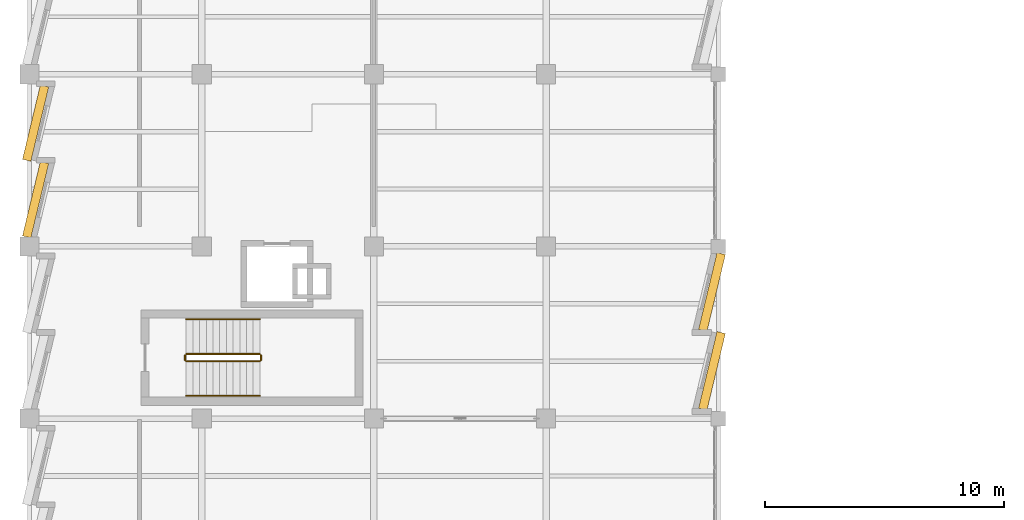
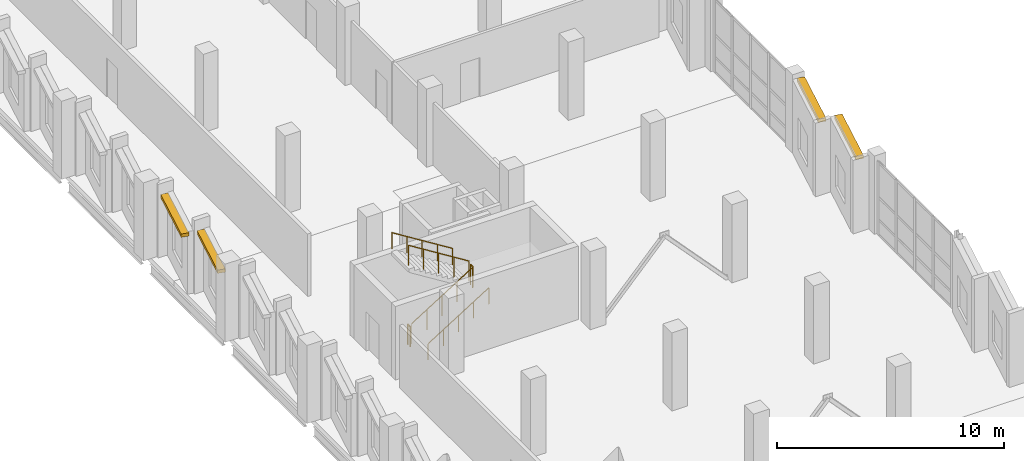
# One storey, part 84 of 94: 6 railings, 4 shading devices.
"""IFC4 building model written with IfcOpenShell, lengths in metres."""

from ifc_helpers import new_model, si_unit, direction, frame, origin, origin_2d, place, context, subcontext, project, spatial, rectangle, circle, extrude, material, layer, layer_set, type_object, element, save


model = new_model("IFC4")

# Units and contexts
model_context = context("Model", 3, precision=1e-05, world=origin(), true_north=direction((0.0, 1.0)))
body_context = subcontext(model_context, "Body", "Model", "MODEL_VIEW")
ifc_project = project(units=[si_unit("LENGTHUNIT", "METRE"), si_unit("AREAUNIT", "SQUARE_METRE"), si_unit("VOLUMEUNIT", "CUBIC_METRE"), si_unit("PLANEANGLEUNIT", "RADIAN"), si_unit("MASSUNIT", "GRAM", prefix="KILO")], contexts=[model_context])

# Site, building, storey
site_placement = place(None, origin())
site = spatial("IfcSite", under=ifc_project, at=site_placement, CompositionType="ELEMENT")
building_placement = place(site_placement, origin())
building = spatial("IfcBuilding", under=site, at=building_placement, Name="Kalmorath City Hall", CompositionType="ELEMENT")
storey_placement = place(building_placement, frame((0.0, 0.0, 14.699951171875)))
storey = spatial("IfcBuildingStorey", under=building, at=storey_placement, Name="L03", CompositionType="ELEMENT", Elevation=14.699951171875)

# Shading devices
ifc_material_1 = material(Name="Precast concrete C40/50", Category="concrete")
ifc_layer = layer(ifc_material_1, 0.179931640625)
ifc_layer_set = layer_set([ifc_layer], Name="Precast concrete C40/50")
shading_device_type = type_object("IfcShadingDeviceType", Name="Precast sawtooth brow sunshade 350", PredefinedType="USERDEFINED", material=ifc_layer_set)
for number, where, z_axis, x_axis, name in (
    (1, (0.2529296875, 59.55419921875, 3.15625), (0.0, 0.0, 1.0), (0.233445363856, 0.972369920398, 0.0), "L03 precast sawtooth hood #298"),
    (2, (0.2529296875, 62.75341796875, 3.15625), (0.0, 0.0, 1.0), (0.233445363856, 0.972369920398, 0.0), "L03 precast sawtooth hood #299"),
):
    element("IfcShadingDevice", number, at=place(storey_placement, frame(where, z_axis=z_axis, x_axis=x_axis)), inside=storey, type_object=shading_device_type, Name=name, ObjectType="SUNSHADE", PredefinedType="USERDEFINED", context=body_context, shape_type="SweptSolid", body=[
        extrude(rectangle(XDim=3.19482421875, YDim=0.360107421875, at=origin_2d()), origin(), (0.0, 0.0, 1.0), 0.179931640625),
    ])
for number, where, z_axis, x_axis, name in (
    (3, (28.53515625, 55.69580078125, 3.740234375), (0.0, 0.0, 1.0), (-0.233445363856, -0.972369920398, 0.0), "L03 precast sawtooth hood #344"),
    (4, (28.53515625, 52.396728515625, 3.740234375), (0.0, 0.0, 1.0), (-0.233445363856, -0.972369920398, 0.0), "L03 precast sawtooth hood #345"),
):
    element("IfcShadingDevice", number, at=place(storey_placement, frame(where, z_axis=z_axis, x_axis=x_axis)), inside=storey, type_object=shading_device_type, Name=name, ObjectType="SUNSHADE", PredefinedType="USERDEFINED", context=body_context, shape_type="SweptSolid", body=[
        extrude(rectangle(XDim=3.297607421875, YDim=0.360107421875, at=origin_2d()), origin(), (0.0, 0.0, 1.0), 0.179931640625),
    ])

# Railings
ifc_material_2 = material(Name="Painted steel guardrail", Category="steel")
railing_type_1 = type_object("IfcRailingType", Name="Protected stair guardrail 1100", PredefinedType="GUARDRAIL", material=ifc_material_2)
railing_1_placement = place(storey_placement, frame((6.550048828125, 52.800048828125, 0.175048828125)))
element("IfcRailing", 5, at=railing_1_placement, inside=storey, type_object=railing_type_1, Name="L03 ST-3 stair guard 1", PredefinedType="GUARDRAIL", context=body_context, shape_type="SweptSolid", body=[
    extrude(circle(Radius=0.02392578125, at=origin_2d()), frame((0.0, 0.0, 1.076171875), z_axis=(0.847979421464, 0.0, 0.530029150871), x_axis=(0.0, 1.0, 0.0)), (0.0, 0.0, 1.0), 3.632080078125),
    extrude(circle(Radius=0.02099609375, at=origin_2d()), origin(), (0.0, 0.0, 1.0), 1.052001953125),
    extrude(circle(Radius=0.02099609375, at=origin_2d()), frame((0.77001953125, 0.0, 0.481201171875)), (0.0, 0.0, 1.0), 1.052001953125),
    extrude(circle(Radius=0.02099609375, at=origin_2d()), frame((1.5400390625, 0.0, 0.96240234375)), (0.0, 0.0, 1.0), 1.052001953125),
    extrude(circle(Radius=0.02099609375, at=origin_2d()), frame((2.309814453125, 0.0, 1.44384765625)), (0.0, 0.0, 1.0), 1.052001953125),
    extrude(circle(Radius=0.02099609375, at=origin_2d()), frame((3.079833984375, 0.0, 1.925048828125)), (0.0, 0.0, 1.0), 1.052001953125),
])
railing_2_placement = place(storey_placement, frame((9.679931640625, 52.85009765625, 2.10009765625)))
element("IfcRailing", 6, at=railing_2_placement, inside=storey, type_object=railing_type_1, Name="L03 ST-3 stair guard 2", PredefinedType="GUARDRAIL", context=body_context, shape_type="SweptSolid", body=[
    extrude(circle(Radius=0.02392578125, at=origin_2d()), frame((0.0, 0.0, 1.076171875), z_axis=(0.0, 1.0, 0.0), x_axis=(-1.0, 0.0, 0.0)), (0.0, 0.0, 1.0), 0.199951171875),
    extrude(circle(Radius=0.02099609375, at=origin_2d()), origin(), (0.0, 0.0, 1.0), 1.052001953125),
    extrude(circle(Radius=0.02099609375, at=origin_2d()), frame((0.0, 0.199951171875, 0.0)), (0.0, 0.0, 1.0), 1.052001953125),
])
railing_3_placement = place(storey_placement, frame((9.6298828125, 53.10009765625, 2.275146484375)))
element("IfcRailing", 7, at=railing_3_placement, inside=storey, type_object=railing_type_1, Name="L03 ST-3 stair guard 3", PredefinedType="GUARDRAIL", context=body_context, shape_type="SweptSolid", body=[
    extrude(circle(Radius=0.02392578125, at=origin_2d()), frame((0.0, 0.0, 1.076171875), z_axis=(-0.848009633417, 0.0, 0.529980812513), x_axis=(0.0, -1.0, 0.0)), (0.0, 0.0, 1.0), 3.6318359375),
    extrude(circle(Radius=0.02099609375, at=origin_2d()), origin(), (0.0, 0.0, 1.0), 1.052001953125),
    extrude(circle(Radius=0.02099609375, at=origin_2d()), frame((-0.77001953125, 0.0, 0.481201171875)), (0.0, 0.0, 1.0), 1.052001953125),
    extrude(circle(Radius=0.02099609375, at=origin_2d()), frame((-1.5400390625, 0.0, 0.96240234375)), (0.0, 0.0, 1.0), 1.052001953125),
    extrude(circle(Radius=0.02099609375, at=origin_2d()), frame((-2.309814453125, 0.0, 1.443603515625)), (0.0, 0.0, 1.0), 1.052001953125),
    extrude(circle(Radius=0.02099609375, at=origin_2d()), frame((-3.079833984375, 0.0, 1.9248046875)), (0.0, 0.0, 1.0), 1.052001953125),
])
railing_4_placement = place(storey_placement, frame((6.5, 52.85009765625, 0.0)))
element("IfcRailing", 8, at=railing_4_placement, inside=storey, type_object=railing_type_1, Name="L03 ST-3 stair guard 4", PredefinedType="GUARDRAIL", context=body_context, shape_type="SweptSolid", body=[
    extrude(circle(Radius=0.02392578125, at=origin_2d()), frame((0.0, 0.0, 1.076171875), z_axis=(0.0, 1.0, 0.0), x_axis=(-1.0, 0.0, 0.0)), (0.0, 0.0, 1.0), 0.199951171875),
    extrude(circle(Radius=0.02099609375, at=origin_2d()), origin(), (0.0, 0.0, 1.0), 1.052001953125),
    extrude(circle(Radius=0.02099609375, at=origin_2d()), frame((0.0, 0.199951171875, 0.0)), (0.0, 0.0, 1.0), 1.052001953125),
])
ifc_material_3 = material(Name="Brushed stainless steel handrail", Category="steel")
railing_type_2 = type_object("IfcRailingType", Name="Stair pitch handrail 900", PredefinedType="HANDRAIL", material=ifc_material_3)
railing_5_placement = place(storey_placement, frame((6.550048828125, 51.35009765625, 0.175048828125)))
element("IfcRailing", 9, at=railing_5_placement, inside=storey, type_object=railing_type_2, Name="L03 ST-3 stair handrail 1", PredefinedType="HANDRAIL", context=body_context, shape_type="SweptSolid", body=[
    extrude(circle(Radius=0.02392578125, at=origin_2d()), frame((0.0, 0.0, 0.8759765625), z_axis=(0.847979421464, 0.0, 0.530029150871), x_axis=(0.0, 1.0, 0.0)), (0.0, 0.0, 1.0), 3.632080078125),
    extrude(circle(Radius=0.02099609375, at=origin_2d()), origin(), (0.0, 0.0, 1.0), 0.851806640625),
    extrude(circle(Radius=0.02099609375, at=origin_2d()), frame((0.77001953125, 0.0, 0.481201171875)), (0.0, 0.0, 1.0), 0.851806640625),
    extrude(circle(Radius=0.02099609375, at=origin_2d()), frame((1.5400390625, 0.0, 0.96240234375)), (0.0, 0.0, 1.0), 0.851806640625),
    extrude(circle(Radius=0.02099609375, at=origin_2d()), frame((2.309814453125, 0.0, 1.44384765625)), (0.0, 0.0, 1.0), 0.851806640625),
    extrude(circle(Radius=0.02099609375, at=origin_2d()), frame((3.079833984375, 0.0, 1.925048828125)), (0.0, 0.0, 1.0), 0.851806640625),
])
railing_6_placement = place(storey_placement, frame((9.6298828125, 54.550048828125, 2.275146484375)))
element("IfcRailing", 10, at=railing_6_placement, inside=storey, type_object=railing_type_2, Name="L03 ST-3 stair handrail 2", PredefinedType="HANDRAIL", context=body_context, shape_type="SweptSolid", body=[
    extrude(circle(Radius=0.02392578125, at=origin_2d()), frame((0.0, 0.0, 0.8759765625), z_axis=(-0.848009633417, 0.0, 0.529980812513), x_axis=(0.0, -1.0, 0.0)), (0.0, 0.0, 1.0), 3.6318359375),
    extrude(circle(Radius=0.02099609375, at=origin_2d()), origin(), (0.0, 0.0, 1.0), 0.851806640625),
    extrude(circle(Radius=0.02099609375, at=origin_2d()), frame((-0.77001953125, 0.0, 0.481201171875)), (0.0, 0.0, 1.0), 0.851806640625),
    extrude(circle(Radius=0.02099609375, at=origin_2d()), frame((-1.5400390625, 0.0, 0.96240234375)), (0.0, 0.0, 1.0), 0.851806640625),
    extrude(circle(Radius=0.02099609375, at=origin_2d()), frame((-2.309814453125, 0.0, 1.443603515625)), (0.0, 0.0, 1.0), 0.851806640625),
    extrude(circle(Radius=0.02099609375, at=origin_2d()), frame((-3.079833984375, 0.0, 1.9248046875)), (0.0, 0.0, 1.0), 0.851806640625),
])

save(model, "model.ifc")
